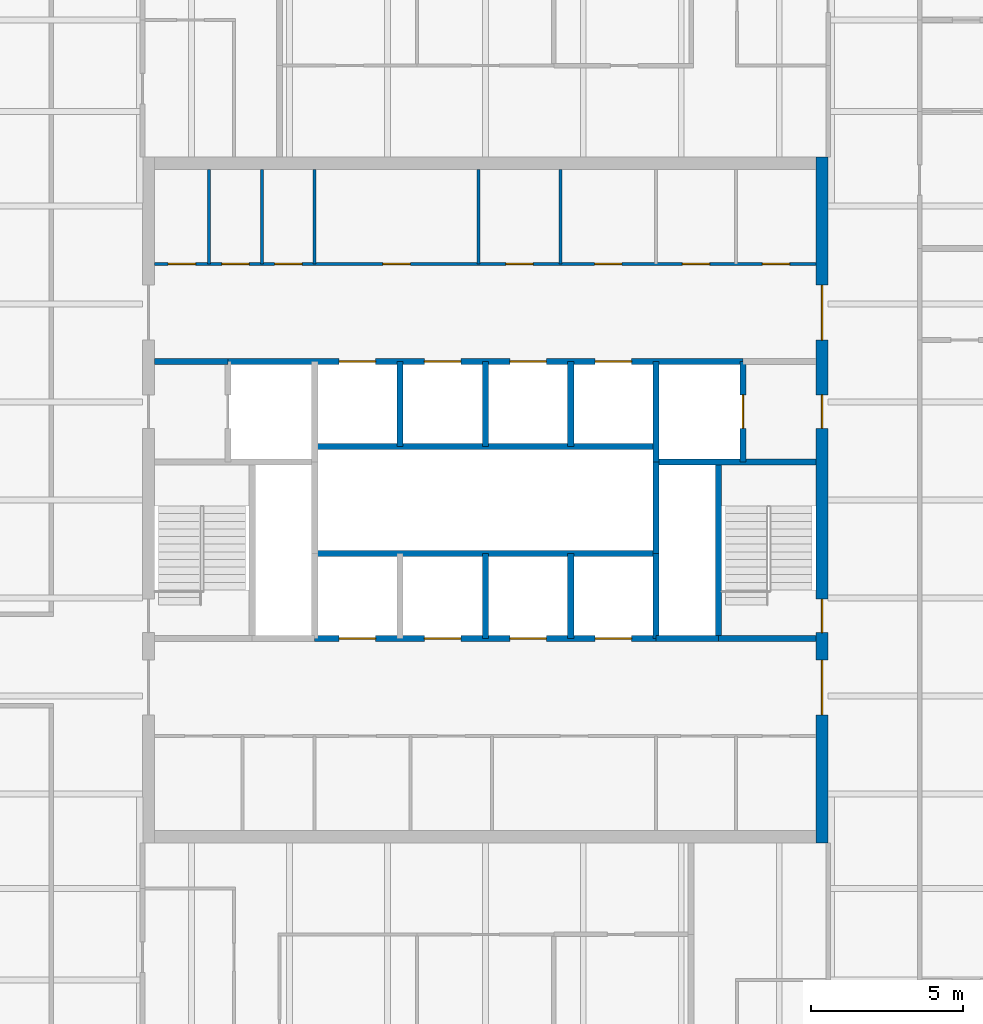
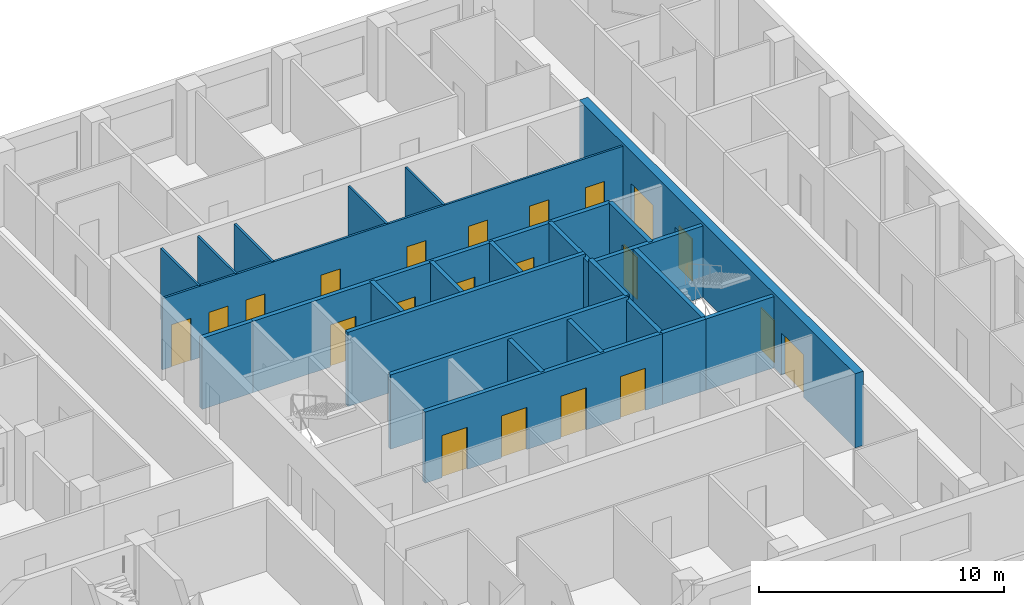
# One storey, part 6 of 10: 25 walls, 21 doors, 21 openings.
"""IFC4 building model written with IfcOpenShell, lengths in metres."""

from ifc_helpers import new_model, si_unit, direction, frame, frame_2d, origin, place, context, subcontext, project, spatial, rectangle, extrude, material, layer, layer_set, type_object, element, fill, save


model = new_model("IFC4")

# Units and contexts
model_context = context("Model", 3, precision=1e-05, world=origin(), true_north=direction((0.0, 1.0)))
body_context = subcontext(model_context, "Body", "Model", "MODEL_VIEW")
ifc_project = project(units=[si_unit("LENGTHUNIT", "METRE"), si_unit("AREAUNIT", "SQUARE_METRE"), si_unit("VOLUMEUNIT", "CUBIC_METRE"), si_unit("PLANEANGLEUNIT", "RADIAN"), si_unit("MASSUNIT", "GRAM", prefix="KILO")], contexts=[model_context])

# Site, building, storey
site_placement = place(None, origin())
site = spatial("IfcSite", under=ifc_project, at=site_placement, CompositionType="ELEMENT")
building_placement = place(site_placement, origin())
building = spatial("IfcBuilding", under=site, at=building_placement, Name="Quoin Convention Tower", CompositionType="ELEMENT")
storey_placement = place(building_placement, frame((0.0, 0.0, 184.699951171875)))
storey = spatial("IfcBuildingStorey", under=building, at=storey_placement, Name="L48", CompositionType="ELEMENT", Elevation=184.699951171875)

# Wall, openings, doors
ifc_material_1 = material(Name="Plasterboard")
ifc_layer_1 = layer(ifc_material_1, 0.012451171875, Name="Finish")
ifc_material_2 = material(Name="Steel stud framing", Category="steel")
ifc_layer_2 = layer(ifc_material_2, 0.074951171875, Name="Structure")
ifc_layer_3 = layer(ifc_material_1, 0.012451171875, Name="Finish")
ifc_layer_set_1 = layer_set([ifc_layer_1, ifc_layer_2, ifc_layer_3], Name="Steel stud framing")
wall_type_1 = type_object("IfcWallType", Name="Core partition wall", PredefinedType="PARTITIONING", material=ifc_layer_set_1)
wall_1_placement = place(storey_placement, frame((45.39990234375, 68.5, 0.0), z_axis=(0.0, 0.0, 1.0), x_axis=(1.0, 0.0, 0.0)))
wall_1 = element("IfcWall", 1, at=wall_1_placement, inside=storey, type_object=wall_type_1, Name="cr-C1-L48-h19000_400", PredefinedType="PARTITIONING", context=body_context, shape_type="SweptSolid", body=[
    extrude(rectangle(XDim=21.7001953125, YDim=0.10009765625, at=frame_2d((10.85009765625, 0.0))), origin(), (0.0, 0.0, 1.0), 3.550048828125),
])
opening_1_placement = place(wall_1_placement, frame((19.9375, 0.0, 0.0)))
opening_1 = element("IfcOpeningElement", 2, at=opening_1_placement, cuts=wall_1, Name="Opening DCV4-14", PredefinedType="OPENING", context=body_context, shape_type="SweptSolid", body=[
    extrude(rectangle(XDim=0.89990234375, YDim=2.10009765625, at=frame_2d((0.449951171875, 1.050048828125))), frame((0.0, 0.06005859375, 0.0), z_axis=(0.0, -1.0, 0.0), x_axis=(1.0, 0.0, 0.0)), (0.0, 0.0, 1.0), 0.1201171875),
])
opening_2_placement = place(wall_1_placement, frame((17.3125, 0.0, 0.0)))
opening_2 = element("IfcOpeningElement", 3, at=opening_2_placement, cuts=wall_1, Name="Opening DCV4-13", PredefinedType="OPENING", context=body_context, shape_type="SweptSolid", body=[
    extrude(rectangle(XDim=0.89990234375, YDim=2.10009765625, at=frame_2d((0.449951171875, 1.050048828125))), frame((0.0, 0.06005859375, 0.0), z_axis=(0.0, -1.0, 0.0), x_axis=(1.0, 0.0, 0.0)), (0.0, 0.0, 1.0), 0.1201171875),
])
opening_3_placement = place(wall_1_placement, frame((0.4423828125, 0.0, 0.0)))
opening_3 = element("IfcOpeningElement", 4, at=opening_3_placement, cuts=wall_1, Name="Opening DCV4-05", PredefinedType="OPENING", context=body_context, shape_type="SweptSolid", body=[
    extrude(rectangle(XDim=0.89990234375, YDim=2.10009765625, at=frame_2d((0.449951171875, 1.050048828125))), frame((0.0, 0.06005859375, 0.0), z_axis=(0.0, -1.0, 0.0), x_axis=(1.0, 0.0, 0.0)), (0.0, 0.0, 1.0), 0.1201171875),
])
opening_4_placement = place(wall_1_placement, frame((2.201416015625, 0.0, 0.0)))
opening_4 = element("IfcOpeningElement", 5, at=opening_4_placement, cuts=wall_1, Name="Opening DCV4-06", PredefinedType="OPENING", context=body_context, shape_type="SweptSolid", body=[
    extrude(rectangle(XDim=0.89990234375, YDim=2.10009765625, at=frame_2d((0.449951171875, 1.050048828125))), frame((0.0, 0.06005859375, 0.0), z_axis=(0.0, -1.0, 0.0), x_axis=(1.0, 0.0, 0.0)), (0.0, 0.0, 1.0), 0.1201171875),
])
opening_5_placement = place(wall_1_placement, frame((3.93359375, 0.0, 0.0)))
opening_5 = element("IfcOpeningElement", 6, at=opening_5_placement, cuts=wall_1, Name="Opening DCV4-07", PredefinedType="OPENING", context=body_context, shape_type="SweptSolid", body=[
    extrude(rectangle(XDim=0.89990234375, YDim=2.10009765625, at=frame_2d((0.449951171875, 1.050048828125))), frame((0.0, 0.06005859375, 0.0), z_axis=(0.0, -1.0, 0.0), x_axis=(1.0, 0.0, 0.0)), (0.0, 0.0, 1.0), 0.1201171875),
])
opening_6_placement = place(wall_1_placement, frame((14.431884765625, 0.0, 0.0)))
opening_6 = element("IfcOpeningElement", 7, at=opening_6_placement, cuts=wall_1, Name="Opening DCV4-12", PredefinedType="OPENING", context=body_context, shape_type="SweptSolid", body=[
    extrude(rectangle(XDim=0.89990234375, YDim=2.10009765625, at=frame_2d((0.449951171875, 1.050048828125))), frame((0.0, 0.06005859375, 0.0), z_axis=(0.0, -1.0, 0.0), x_axis=(1.0, 0.0, 0.0)), (0.0, 0.0, 1.0), 0.1201171875),
])
opening_7_placement = place(wall_1_placement, frame((11.52001953125, 0.0, 0.0)))
opening_7 = element("IfcOpeningElement", 8, at=opening_7_placement, cuts=wall_1, Name="Opening DCV4-10", PredefinedType="OPENING", context=body_context, shape_type="SweptSolid", body=[
    extrude(rectangle(XDim=0.89990234375, YDim=2.10009765625, at=frame_2d((0.449951171875, 1.050048828125))), frame((0.0, 0.06005859375, 0.0), z_axis=(0.0, -1.0, 0.0), x_axis=(1.0, 0.0, 0.0)), (0.0, 0.0, 1.0), 0.1201171875),
])
opening_8_placement = place(wall_1_placement, frame((7.488037109375, 0.0, 0.0)))
opening_8 = element("IfcOpeningElement", 9, at=opening_8_placement, cuts=wall_1, Name="Opening DCV4-09", PredefinedType="OPENING", context=body_context, shape_type="SweptSolid", body=[
    extrude(rectangle(XDim=0.89990234375, YDim=2.10009765625, at=frame_2d((0.449951171875, 1.050048828125))), frame((0.0, 0.06005859375, 0.0), z_axis=(0.0, -1.0, 0.0), x_axis=(1.0, 0.0, 0.0)), (0.0, 0.0, 1.0), 0.1201171875),
])
ifc_material_3 = material(Name="Steel door leaf", Category="steel")
door_type_1 = type_object("IfcDoorType", Name="Core room door 900 x 2100", OperationType="SINGLE_SWING_LEFT", PredefinedType="DOOR", material=ifc_material_3)
door_1_placement = place(opening_1_placement, origin())
door_1 = element("IfcDoor", 10, at=door_1_placement, inside=storey, type_object=door_type_1, Name="cd-C1-L48-CNE0-lobB-CD4807", OperationType="SINGLE_SWING_RIGHT", OverallHeight=2.10009765625, OverallWidth=0.89990234375, PredefinedType="DOOR", context=body_context, shape_type="SweptSolid", body=[
    extrude(rectangle(XDim=0.89990234375, YDim=2.10009765625, at=frame_2d((0.449951171875, 1.050048828125))), frame((0.0, 0.02490234375, 0.0), z_axis=(0.0, -1.0, 0.0), x_axis=(1.0, 0.0, 0.0)), (0.0, 0.0, 1.0), 0.050048828125),
])
fill(opening_1, door_1)
door_2_placement = place(opening_2_placement, origin())
door_2 = element("IfcDoor", 11, at=door_2_placement, inside=storey, type_object=door_type_1, Name="cd-C1-L48-CNE1-lobB-CD4808", OperationType="SINGLE_SWING_RIGHT", OverallHeight=2.10009765625, OverallWidth=0.89990234375, PredefinedType="DOOR", context=body_context, shape_type="SweptSolid", body=[
    extrude(rectangle(XDim=0.89990234375, YDim=2.10009765625, at=frame_2d((0.449951171875, 1.050048828125))), frame((0.0, 0.02490234375, 0.0), z_axis=(0.0, -1.0, 0.0), x_axis=(1.0, 0.0, 0.0)), (0.0, 0.0, 1.0), 0.050048828125),
])
fill(opening_2, door_2)
door_3_placement = place(opening_3_placement, origin())
door_3 = element("IfcDoor", 12, at=door_3_placement, inside=storey, type_object=door_type_1, Name="cd-C1-L48-CNW0-lobB-CD4809", OperationType="SINGLE_SWING_RIGHT", OverallHeight=2.10009765625, OverallWidth=0.89990234375, PredefinedType="DOOR", context=body_context, shape_type="SweptSolid", body=[
    extrude(rectangle(XDim=0.89990234375, YDim=2.10009765625, at=frame_2d((0.449951171875, 1.050048828125))), frame((0.0, 0.02490234375, 0.0), z_axis=(0.0, -1.0, 0.0), x_axis=(1.0, 0.0, 0.0)), (0.0, 0.0, 1.0), 0.050048828125),
])
fill(opening_3, door_3)
door_4_placement = place(opening_4_placement, origin())
door_4 = element("IfcDoor", 13, at=door_4_placement, inside=storey, type_object=door_type_1, Name="cd-C1-L48-CNW1-lobB-CD4810", OperationType="SINGLE_SWING_RIGHT", OverallHeight=2.10009765625, OverallWidth=0.89990234375, PredefinedType="DOOR", context=body_context, shape_type="SweptSolid", body=[
    extrude(rectangle(XDim=0.89990234375, YDim=2.10009765625, at=frame_2d((0.449951171875, 1.050048828125))), frame((0.0, 0.02490234375, 0.0), z_axis=(0.0, -1.0, 0.0), x_axis=(1.0, 0.0, 0.0)), (0.0, 0.0, 1.0), 0.050048828125),
])
fill(opening_4, door_4)
door_5_placement = place(opening_5_placement, origin())
door_5 = element("IfcDoor", 14, at=door_5_placement, inside=storey, type_object=door_type_1, Name="cd-C1-L48-CNW2-lobB-CD4811", OperationType="SINGLE_SWING_RIGHT", OverallHeight=2.10009765625, OverallWidth=0.89990234375, PredefinedType="DOOR", context=body_context, shape_type="SweptSolid", body=[
    extrude(rectangle(XDim=0.89990234375, YDim=2.10009765625, at=frame_2d((0.449951171875, 1.050048828125))), frame((0.0, 0.02490234375, 0.0), z_axis=(0.0, -1.0, 0.0), x_axis=(1.0, 0.0, 0.0)), (0.0, 0.0, 1.0), 0.050048828125),
])
fill(opening_5, door_5)
door_6_placement = place(opening_6_placement, origin())
door_6 = element("IfcDoor", 15, at=door_6_placement, inside=storey, type_object=door_type_1, Name="cd-C1-L48-F40-lobB-CD4819", OperationType="SINGLE_SWING_RIGHT", OverallHeight=2.10009765625, OverallWidth=0.89990234375, PredefinedType="DOOR", context=body_context, shape_type="SweptSolid", body=[
    extrude(rectangle(XDim=0.89990234375, YDim=2.10009765625, at=frame_2d((0.449951171875, 1.050048828125))), frame((0.0, 0.02490234375, 0.0), z_axis=(0.0, -1.0, 0.0), x_axis=(1.0, 0.0, 0.0)), (0.0, 0.0, 1.0), 0.050048828125),
])
fill(opening_6, door_6)
door_7_placement = place(opening_7_placement, origin())
door_7 = element("IfcDoor", 16, at=door_7_placement, inside=storey, type_object=door_type_1, Name="cd-C1-L48-F41-lobB-CD4820", OperationType="SINGLE_SWING_RIGHT", OverallHeight=2.10009765625, OverallWidth=0.89990234375, PredefinedType="DOOR", context=body_context, shape_type="SweptSolid", body=[
    extrude(rectangle(XDim=0.89990234375, YDim=2.10009765625, at=frame_2d((0.449951171875, 1.050048828125))), frame((0.0, 0.02490234375, 0.0), z_axis=(0.0, -1.0, 0.0), x_axis=(1.0, 0.0, 0.0)), (0.0, 0.0, 1.0), 0.050048828125),
])
fill(opening_7, door_7)
door_8_placement = place(opening_8_placement, origin())
door_8 = element("IfcDoor", 17, at=door_8_placement, inside=storey, type_object=door_type_1, Name="cd-C1-L48-F42-lobB-CD4821", OperationType="SINGLE_SWING_RIGHT", OverallHeight=2.10009765625, OverallWidth=0.89990234375, PredefinedType="DOOR", context=body_context, shape_type="SweptSolid", body=[
    extrude(rectangle(XDim=0.89990234375, YDim=2.10009765625, at=frame_2d((0.449951171875, 1.050048828125))), frame((0.0, 0.02490234375, 0.0), z_axis=(0.0, -1.0, 0.0), x_axis=(1.0, 0.0, 0.0)), (0.0, 0.0, 1.0), 0.050048828125),
])
fill(opening_8, door_8)

# Walls
for number, where, z_axis, x_axis, name in (
    (18, (47.18505859375, 68.5, 0.0), (0.0, 0.0, 1.0), (0.0, 1.0, 0.0), "cr-C1-L48-v2185_19000"),
    (19, (48.91748046875, 68.5, 0.0), (0.0, 0.0, 1.0), (0.0, 1.0, 0.0), "cr-C1-L48-v3918_19000"),
    (20, (50.64990234375, 68.5, 0.0), (0.0, 0.0, 1.0), (0.0, 1.0, 0.0), "cr-C1-L48-v5650_19000"),
    (21, (56.02587890625, 68.5, 0.0), (0.0, 0.0, 1.0), (0.0, 1.0, 0.0), "cr-C1-L48-v11026_19000"),
    (22, (58.714111328125, 68.5, 0.0), (0.0, 0.0, 1.0), (0.0, 1.0, 0.0), "cr-C1-L48-v13714_19000"),
):
    element("IfcWall", number, at=place(storey_placement, frame(where, z_axis=z_axis, x_axis=x_axis)), inside=storey, type_object=wall_type_1, Name=name, PredefinedType="PARTITIONING", context=body_context, shape_type="SweptSolid", body=[
        extrude(rectangle(XDim=3.10009765625, YDim=0.10009765625, at=frame_2d((1.550048828125, 0.0))), origin(), (0.0, 0.0, 1.0), 3.550048828125),
    ])
ifc_material_4 = material(Name="Concrete C50", Category="concrete")
ifc_layer_4 = layer(ifc_material_4, 0.199951171875)
ifc_layer_set_2 = layer_set([ifc_layer_4], Name="Concrete C50")
wall_type_2 = type_object("IfcWallType", Name="Core shaft wall", PredefinedType="SOLIDWALL", material=ifc_layer_set_2)
wall_2_placement = place(storey_placement, frame((61.85009765625, 56.199951171875, 0.0), z_axis=(0.0, 0.0, 1.0), x_axis=(1.0, 0.0, 0.0)))
element("IfcWall", 23, at=wall_2_placement, inside=storey, type_object=wall_type_2, Name="cr-C1-L48-h6700_16850", PredefinedType="SOLIDWALL", context=body_context, shape_type="SweptSolid", body=[
    extrude(rectangle(XDim=2.0498046875, YDim=0.199951171875, at=frame_2d((1.02490234375, 0.0))), origin(), (0.0, 0.0, 1.0), 3.550048828125),
])

# Wall, openings, doors
wall_3_placement = place(storey_placement, frame((50.64990234375, 56.199951171875, 0.0), z_axis=(0.0, 0.0, 1.0), x_axis=(1.0, 0.0, 0.0)))
wall_3 = element("IfcWall", 24, at=wall_3_placement, inside=storey, type_object=wall_type_2, Name="cr-C1-L48-h6700_5650", PredefinedType="SOLIDWALL", context=body_context, shape_type="SweptSolid", body=[
    extrude(rectangle(XDim=11.2001953125, YDim=0.199951171875, at=frame_2d((5.60009765625, 0.0))), origin(), (0.0, 0.0, 1.0), 3.550048828125),
])
opening_9_placement = place(wall_3_placement, frame((0.800048828125, 0.0, 0.0)))
opening_9 = element("IfcOpeningElement", 25, at=opening_9_placement, cuts=wall_3, Name="Opening LDH1", PredefinedType="OPENING", context=body_context, shape_type="SweptSolid", body=[
    extrude(rectangle(XDim=1.199951171875, YDim=2.10009765625, at=frame_2d((0.60009765625, 1.050048828125))), frame((0.0, 0.10986328125, 0.0), z_axis=(0.0, -1.0, 0.0), x_axis=(1.0, 0.0, 0.0)), (0.0, 0.0, 1.0), 0.219970703125),
])
opening_10_placement = place(wall_3_placement, frame((3.60009765625, 0.0, 0.0)))
opening_10 = element("IfcOpeningElement", 26, at=opening_10_placement, cuts=wall_3, Name="Opening LDH2", PredefinedType="OPENING", context=body_context, shape_type="SweptSolid", body=[
    extrude(rectangle(XDim=1.199951171875, YDim=2.10009765625, at=frame_2d((0.60009765625, 1.050048828125))), frame((0.0, 0.10986328125, 0.0), z_axis=(0.0, -1.0, 0.0), x_axis=(1.0, 0.0, 0.0)), (0.0, 0.0, 1.0), 0.219970703125),
])
opening_11_placement = place(wall_3_placement, frame((6.39990234375, 0.0, 0.0)))
opening_11 = element("IfcOpeningElement", 27, at=opening_11_placement, cuts=wall_3, Name="Opening LDH3", PredefinedType="OPENING", context=body_context, shape_type="SweptSolid", body=[
    extrude(rectangle(XDim=1.199951171875, YDim=2.10009765625, at=frame_2d((0.60009765625, 1.050048828125))), frame((0.0, 0.10986328125, 0.0), z_axis=(0.0, -1.0, 0.0), x_axis=(1.0, 0.0, 0.0)), (0.0, 0.0, 1.0), 0.219970703125),
])
opening_12_placement = place(wall_3_placement, frame((9.199951171875, 0.0, 0.0)))
opening_12 = element("IfcOpeningElement", 28, at=opening_12_placement, cuts=wall_3, Name="Opening LDH4", PredefinedType="OPENING", context=body_context, shape_type="SweptSolid", body=[
    extrude(rectangle(XDim=1.199951171875, YDim=2.10009765625, at=frame_2d((0.60009765625, 1.050048828125))), frame((0.0, 0.10986328125, 0.0), z_axis=(0.0, -1.0, 0.0), x_axis=(1.0, 0.0, 0.0)), (0.0, 0.0, 1.0), 0.219970703125),
])
door_type_2 = type_object("IfcDoorType", Name="Lift landing door 1200 x 2100", OperationType="DOUBLE_DOOR_SLIDING", PredefinedType="DOOR", material=ifc_material_3)
door_9_placement = place(opening_9_placement, origin())
door_9 = element("IfcDoor", 29, at=door_9_placement, inside=storey, type_object=door_type_2, Name="cd-C1-L48-R20-lobA-LDH1", OperationType="DOUBLE_DOOR_SLIDING", OverallHeight=2.10009765625, OverallWidth=1.199951171875, PredefinedType="DOOR", context=body_context, shape_type="SweptSolid", body=[
    extrude(rectangle(XDim=1.199951171875, YDim=2.10009765625, at=frame_2d((0.60009765625, 1.050048828125))), frame((0.0, 0.02490234375, 0.0), z_axis=(0.0, -1.0, 0.0), x_axis=(1.0, 0.0, 0.0)), (0.0, 0.0, 1.0), 0.050048828125),
])
fill(opening_9, door_9)
door_10_placement = place(opening_10_placement, origin())
door_10 = element("IfcDoor", 30, at=door_10_placement, inside=storey, type_object=door_type_2, Name="cd-C1-L48-R21-lobA-LDH2", OperationType="DOUBLE_DOOR_SLIDING", OverallHeight=2.10009765625, OverallWidth=1.199951171875, PredefinedType="DOOR", context=body_context, shape_type="SweptSolid", body=[
    extrude(rectangle(XDim=1.199951171875, YDim=2.10009765625, at=frame_2d((0.60009765625, 1.050048828125))), frame((0.0, 0.02490234375, 0.0), z_axis=(0.0, -1.0, 0.0), x_axis=(1.0, 0.0, 0.0)), (0.0, 0.0, 1.0), 0.050048828125),
])
fill(opening_10, door_10)
door_11_placement = place(opening_11_placement, origin())
door_11 = element("IfcDoor", 31, at=door_11_placement, inside=storey, type_object=door_type_2, Name="cd-C1-L48-R22-lobA-LDH3", OperationType="DOUBLE_DOOR_SLIDING", OverallHeight=2.10009765625, OverallWidth=1.199951171875, PredefinedType="DOOR", context=body_context, shape_type="SweptSolid", body=[
    extrude(rectangle(XDim=1.199951171875, YDim=2.10009765625, at=frame_2d((0.60009765625, 1.050048828125))), frame((0.0, 0.02490234375, 0.0), z_axis=(0.0, -1.0, 0.0), x_axis=(1.0, 0.0, 0.0)), (0.0, 0.0, 1.0), 0.050048828125),
])
fill(opening_11, door_11)
door_12_placement = place(opening_12_placement, origin())
door_12 = element("IfcDoor", 32, at=door_12_placement, inside=storey, type_object=door_type_2, Name="cd-C1-L48-R23-lobA-LDH4", OperationType="DOUBLE_DOOR_SLIDING", OverallHeight=2.10009765625, OverallWidth=1.199951171875, PredefinedType="DOOR", context=body_context, shape_type="SweptSolid", body=[
    extrude(rectangle(XDim=1.199951171875, YDim=2.10009765625, at=frame_2d((0.60009765625, 1.050048828125))), frame((0.0, 0.02490234375, 0.0), z_axis=(0.0, -1.0, 0.0), x_axis=(1.0, 0.0, 0.0)), (0.0, 0.0, 1.0), 0.050048828125),
])
fill(opening_12, door_12)

# Walls
wall_4_placement = place(storey_placement, frame((63.89990234375, 56.199951171875, 0.0), z_axis=(0.0, 0.0, 1.0), x_axis=(1.0, 0.0, 0.0)))
element("IfcWall", 33, at=wall_4_placement, inside=storey, type_object=wall_type_2, Name="cr-C1-L48-h6700_18900", PredefinedType="SOLIDWALL", context=body_context, shape_type="SweptSolid", body=[
    extrude(rectangle(XDim=3.2001953125, YDim=0.199951171875, at=frame_2d((1.60009765625, 0.0))), origin(), (0.0, 0.0, 1.0), 3.550048828125),
])
wall_5_placement = place(storey_placement, frame((61.85009765625, 62.0, 0.0), z_axis=(0.0, 0.0, 1.0), x_axis=(1.0, 0.0, 0.0)))
element("IfcWall", 34, at=wall_5_placement, inside=storey, type_object=wall_type_2, Name="cr-C1-L48-h12500_16850", PredefinedType="SOLIDWALL", context=body_context, shape_type="SweptSolid", body=[
    extrude(rectangle(XDim=5.25, YDim=0.199951171875, at=frame_2d((2.625, 0.0))), origin(), (0.0, 0.0, 1.0), 3.550048828125),
])
wall_6_placement = place(storey_placement, frame((45.39990234375, 65.300048828125, 0.0), z_axis=(0.0, 0.0, 1.0), x_axis=(1.0, 0.0, 0.0)))
element("IfcWall", 35, at=wall_6_placement, inside=storey, type_object=wall_type_2, Name="cr-C1-L48-h15800_400", PredefinedType="SOLIDWALL", context=body_context, shape_type="SweptSolid", body=[
    extrude(rectangle(XDim=2.400146484375, YDim=0.199951171875, at=frame_2d((1.2001953125, 0.0))), origin(), (0.0, 0.0, 1.0), 3.550048828125),
])

# Wall, openings, doors
wall_7_placement = place(storey_placement, frame((47.800048828125, 65.300048828125, 0.0), z_axis=(0.0, 0.0, 1.0), x_axis=(1.0, 0.0, 0.0)))
wall_7 = element("IfcWall", 36, at=wall_7_placement, inside=storey, type_object=wall_type_2, Name="cr-C1-L48-h15800_2800", PredefinedType="SOLIDWALL", context=body_context, shape_type="SweptSolid", body=[
    extrude(rectangle(XDim=16.89990234375, YDim=0.199951171875, at=frame_2d((8.449951171875, 0.0))), origin(), (0.0, 0.0, 1.0), 3.550048828125),
])
opening_13_placement = place(wall_7_placement, frame((3.64990234375, 0.0, 0.0)))
opening_13 = element("IfcOpeningElement", 37, at=opening_13_placement, cuts=wall_7, Name="Opening LDH5", PredefinedType="OPENING", context=body_context, shape_type="SweptSolid", body=[
    extrude(rectangle(XDim=1.199951171875, YDim=2.10009765625, at=frame_2d((0.60009765625, 1.050048828125))), frame((0.0, 0.10986328125, 0.0), z_axis=(0.0, -1.0, 0.0), x_axis=(1.0, 0.0, 0.0)), (0.0, 0.0, 1.0), 0.219970703125),
])
opening_14_placement = place(wall_7_placement, frame((6.449951171875, 0.0, 0.0)))
opening_14 = element("IfcOpeningElement", 38, at=opening_14_placement, cuts=wall_7, Name="Opening LDH6", PredefinedType="OPENING", context=body_context, shape_type="SweptSolid", body=[
    extrude(rectangle(XDim=1.199951171875, YDim=2.10009765625, at=frame_2d((0.60009765625, 1.050048828125))), frame((0.0, 0.10986328125, 0.0), z_axis=(0.0, -1.0, 0.0), x_axis=(1.0, 0.0, 0.0)), (0.0, 0.0, 1.0), 0.219970703125),
])
opening_15_placement = place(wall_7_placement, frame((9.25, 0.0, 0.0)))
opening_15 = element("IfcOpeningElement", 39, at=opening_15_placement, cuts=wall_7, Name="Opening LDH7", PredefinedType="OPENING", context=body_context, shape_type="SweptSolid", body=[
    extrude(rectangle(XDim=1.199951171875, YDim=2.10009765625, at=frame_2d((0.60009765625, 1.050048828125))), frame((0.0, 0.10986328125, 0.0), z_axis=(0.0, -1.0, 0.0), x_axis=(1.0, 0.0, 0.0)), (0.0, 0.0, 1.0), 0.219970703125),
])
opening_16_placement = place(wall_7_placement, frame((12.050048828125, 0.0, 0.0)))
opening_16 = element("IfcOpeningElement", 40, at=opening_16_placement, cuts=wall_7, Name="Opening LDH8", PredefinedType="OPENING", context=body_context, shape_type="SweptSolid", body=[
    extrude(rectangle(XDim=1.199951171875, YDim=2.10009765625, at=frame_2d((0.60009765625, 1.050048828125))), frame((0.0, 0.10986328125, 0.0), z_axis=(0.0, -1.0, 0.0), x_axis=(1.0, 0.0, 0.0)), (0.0, 0.0, 1.0), 0.219970703125),
])
door_13_placement = place(opening_13_placement, origin())
door_13 = element("IfcDoor", 41, at=door_13_placement, inside=storey, type_object=door_type_2, Name="cd-C1-L48-R30-lobB-LDH5", OperationType="DOUBLE_DOOR_SLIDING", OverallHeight=2.10009765625, OverallWidth=1.199951171875, PredefinedType="DOOR", context=body_context, shape_type="SweptSolid", body=[
    extrude(rectangle(XDim=1.199951171875, YDim=2.10009765625, at=frame_2d((0.60009765625, 1.050048828125))), frame((0.0, 0.02490234375, 0.0), z_axis=(0.0, -1.0, 0.0), x_axis=(1.0, 0.0, 0.0)), (0.0, 0.0, 1.0), 0.050048828125),
])
fill(opening_13, door_13)
door_14_placement = place(opening_14_placement, origin())
door_14 = element("IfcDoor", 42, at=door_14_placement, inside=storey, type_object=door_type_2, Name="cd-C1-L48-R31-lobB-LDH6", OperationType="DOUBLE_DOOR_SLIDING", OverallHeight=2.10009765625, OverallWidth=1.199951171875, PredefinedType="DOOR", context=body_context, shape_type="SweptSolid", body=[
    extrude(rectangle(XDim=1.199951171875, YDim=2.10009765625, at=frame_2d((0.60009765625, 1.050048828125))), frame((0.0, 0.02490234375, 0.0), z_axis=(0.0, -1.0, 0.0), x_axis=(1.0, 0.0, 0.0)), (0.0, 0.0, 1.0), 0.050048828125),
])
fill(opening_14, door_14)
door_15_placement = place(opening_15_placement, origin())
door_15 = element("IfcDoor", 43, at=door_15_placement, inside=storey, type_object=door_type_2, Name="cd-C1-L48-R32-lobB-LDH7", OperationType="DOUBLE_DOOR_SLIDING", OverallHeight=2.10009765625, OverallWidth=1.199951171875, PredefinedType="DOOR", context=body_context, shape_type="SweptSolid", body=[
    extrude(rectangle(XDim=1.199951171875, YDim=2.10009765625, at=frame_2d((0.60009765625, 1.050048828125))), frame((0.0, 0.02490234375, 0.0), z_axis=(0.0, -1.0, 0.0), x_axis=(1.0, 0.0, 0.0)), (0.0, 0.0, 1.0), 0.050048828125),
])
fill(opening_15, door_15)
door_16_placement = place(opening_16_placement, origin())
door_16 = element("IfcDoor", 44, at=door_16_placement, inside=storey, type_object=door_type_2, Name="cd-C1-L48-R33-lobB-LDH8", OperationType="DOUBLE_DOOR_SLIDING", OverallHeight=2.10009765625, OverallWidth=1.199951171875, PredefinedType="DOOR", context=body_context, shape_type="SweptSolid", body=[
    extrude(rectangle(XDim=1.199951171875, YDim=2.10009765625, at=frame_2d((0.60009765625, 1.050048828125))), frame((0.0, 0.02490234375, 0.0), z_axis=(0.0, -1.0, 0.0), x_axis=(1.0, 0.0, 0.0)), (0.0, 0.0, 1.0), 0.050048828125),
])
fill(opening_16, door_16)

# Walls
for number, where, z_axis, x_axis, name in (
    (45, (53.449951171875, 62.5, 0.0), (0.0, 0.0, 1.0), (0.0, 1.0, 0.0), "cr-C1-L48-v8450_13000"),
    (46, (56.25, 56.199951171875, 0.0), (0.0, 0.0, 1.0), (0.0, 1.0, 0.0), "cr-C1-L48-v11250_6700"),
    (47, (56.25, 62.5, 0.0), (0.0, 0.0, 1.0), (0.0, 1.0, 0.0), "cr-C1-L48-v11250_13000"),
    (48, (59.050048828125, 56.199951171875, 0.0), (0.0, 0.0, 1.0), (0.0, 1.0, 0.0), "cr-C1-L48-v14050_6700"),
    (49, (59.050048828125, 62.5, 0.0), (0.0, 0.0, 1.0), (0.0, 1.0, 0.0), "cr-C1-L48-v14050_13000"),
    (50, (61.85009765625, 56.199951171875, 0.0), (0.0, 0.0, 1.0), (0.0, 1.0, 0.0), "cr-C1-L48-v16850_6700"),
):
    element("IfcWall", number, at=place(storey_placement, frame(where, z_axis=z_axis, x_axis=x_axis)), inside=storey, type_object=wall_type_2, Name=name, PredefinedType="SOLIDWALL", context=body_context, shape_type="SweptSolid", body=[
        extrude(rectangle(XDim=2.800048828125, YDim=0.199951171875, at=frame_2d((1.39990234375, 0.0))), origin(), (0.0, 0.0, 1.0), 3.550048828125),
    ])
wall_8_placement = place(storey_placement, frame((61.85009765625, 62.0, 0.0), z_axis=(0.0, 0.0, 1.0), x_axis=(0.0, 1.0, 0.0)))
element("IfcWall", 51, at=wall_8_placement, inside=storey, type_object=wall_type_2, Name="cr-C1-L48-v16850_12500", PredefinedType="SOLIDWALL", context=body_context, shape_type="SweptSolid", body=[
    extrude(rectangle(XDim=3.300048828125, YDim=0.199951171875, at=frame_2d((1.64990234375, 0.0))), origin(), (0.0, 0.0, 1.0), 3.550048828125),
])
wall_9_placement = place(storey_placement, frame((63.89990234375, 56.199951171875, 0.0), z_axis=(0.0, 0.0, 1.0), x_axis=(0.0, 1.0, 0.0)))
element("IfcWall", 52, at=wall_9_placement, inside=storey, type_object=wall_type_2, Name="cr-C1-L48-v18900_6700", PredefinedType="SOLIDWALL", context=body_context, shape_type="SweptSolid", body=[
    extrude(rectangle(XDim=5.800048828125, YDim=0.199951171875, at=frame_2d((2.89990234375, 0.0))), origin(), (0.0, 0.0, 1.0), 3.550048828125),
])

# Wall, opening, door
wall_10_placement = place(storey_placement, frame((64.699951171875, 62.0, 0.0), z_axis=(0.0, 0.0, 1.0), x_axis=(0.0, 1.0, 0.0)))
wall_10 = element("IfcWall", 53, at=wall_10_placement, inside=storey, type_object=wall_type_2, Name="cr-C1-L48-v19700_12500", PredefinedType="SOLIDWALL", context=body_context, shape_type="SweptSolid", body=[
    extrude(rectangle(XDim=3.300048828125, YDim=0.199951171875, at=frame_2d((1.64990234375, 0.0))), origin(), (0.0, 0.0, 1.0), 3.550048828125),
])
opening_17_placement = place(wall_10_placement, frame((1.10009765625, 0.0, 0.0)))
opening_17 = element("IfcOpeningElement", 54, at=opening_17_placement, cuts=wall_10, Name="Opening LDFL2", PredefinedType="OPENING", context=body_context, shape_type="SweptSolid", body=[
    extrude(rectangle(XDim=1.10009765625, YDim=2.10009765625, at=frame_2d((0.550048828125, 1.050048828125))), frame((0.0, 0.10986328125, 0.0), z_axis=(0.0, -1.0, 0.0), x_axis=(1.0, 0.0, 0.0)), (0.0, 0.0, 1.0), 0.219970703125),
])
door_type_3 = type_object("IfcDoorType", Name="Lift landing door 1100 x 2100", OperationType="DOUBLE_DOOR_SLIDING", PredefinedType="DOOR", material=ifc_material_3)
door_17_placement = place(opening_17_placement, origin())
door_17 = element("IfcDoor", 55, at=door_17_placement, inside=storey, type_object=door_type_3, Name="cd-C1-L48-FLE-FFE-LDFL2", OperationType="DOUBLE_DOOR_SLIDING", OverallHeight=2.10009765625, OverallWidth=1.10009765625, PredefinedType="DOOR", context=body_context, shape_type="SweptSolid", body=[
    extrude(rectangle(XDim=1.10009765625, YDim=2.10009765625, at=frame_2d((0.550048828125, 1.050048828125))), frame((0.0, 0.02490234375, 0.0), z_axis=(0.0, -1.0, 0.0), x_axis=(1.0, 0.0, 0.0)), (0.0, 0.0, 1.0), 0.050048828125),
])
fill(opening_17, door_17)

# Walls
ifc_layer_5 = layer(ifc_material_4, 0.199951171875)
ifc_layer_set_3 = layer_set([ifc_layer_5], Name="Concrete C50")
wall_type_3 = type_object("IfcWallType", Name="Core shaft wall to the floor level over", PredefinedType="SOLIDWALL", material=ifc_layer_set_3)
for number, where, z_axis, x_axis, name in (
    (56, (50.64990234375, 59.0, 0.0), (0.0, 0.0, 1.0), (1.0, 0.0, 0.0), "cr-C1-L48-h9500_5650"),
    (57, (50.64990234375, 62.5, 0.0), (0.0, 0.0, 1.0), (1.0, 0.0, 0.0), "cr-C1-L48-h13000_5650"),
):
    element("IfcWall", number, at=place(storey_placement, frame(where, z_axis=z_axis, x_axis=x_axis)), inside=storey, type_object=wall_type_3, Name=name, PredefinedType="SOLIDWALL", context=body_context, shape_type="SweptSolid", body=[
        extrude(rectangle(XDim=11.2001953125, YDim=0.199951171875, at=frame_2d((5.60009765625, 0.0))), origin(), (0.0, 0.0, 1.0), 3.699951171875),
    ])
wall_11_placement = place(storey_placement, frame((61.85009765625, 59.0, 0.0), z_axis=(0.0, 0.0, 1.0), x_axis=(0.0, 1.0, 0.0)))
element("IfcWall", 58, at=wall_11_placement, inside=storey, type_object=wall_type_3, Name="cr-C1-L48-v16850_9500", PredefinedType="SOLIDWALL", context=body_context, shape_type="SweptSolid", body=[
    extrude(rectangle(XDim=3.0, YDim=0.199951171875, at=frame_2d((1.5, 0.0))), origin(), (0.0, 0.0, 1.0), 3.699951171875),
])

# Wall, openings, doors
ifc_layer_6 = layer(ifc_material_4, 0.39990234375)
ifc_layer_set_4 = layer_set([ifc_layer_6], Name="Concrete C50")
wall_type_4 = type_object("IfcWallType", Name="RC CORE WALL 400 C50", PredefinedType="SHEAR", material=ifc_layer_set_4)
wall_12_placement = place(storey_placement, frame((67.300048828125, 49.5, 0.0), z_axis=(0.0, 0.0, 1.0), x_axis=(0.0, 1.0, 0.0)))
wall_12 = element("IfcWall", 59, at=wall_12_placement, inside=storey, type_object=wall_type_4, Name="cwl-C1-L48-E", PredefinedType="SHEAR", context=body_context, shape_type="SweptSolid", body=[
    extrude(rectangle(XDim=22.5, YDim=0.39990234375, at=frame_2d((11.25, 0.0))), origin(), (0.0, 0.0, 1.0), 3.699951171875),
])
opening_18_placement = place(wall_12_placement, frame((4.199951171875, 0.0, 0.0)))
opening_18 = element("IfcOpeningElement", 60, at=opening_18_placement, cuts=wall_12, Name="Opening DCV4-39", PredefinedType="OPENING", context=body_context, shape_type="SweptSolid", body=[
    extrude(rectangle(XDim=1.800048828125, YDim=2.10009765625, at=frame_2d((0.89990234375, 1.050048828125))), frame((0.0, 0.2099609375, 0.0), z_axis=(0.0, -1.0, 0.0), x_axis=(1.0, 0.0, 0.0)), (0.0, 0.0, 1.0), 0.419921875),
])
opening_19_placement = place(wall_12_placement, frame((6.89990234375, 0.0, 0.0)))
opening_19 = element("IfcOpeningElement", 61, at=opening_19_placement, cuts=wall_12, Name="Opening SD2", PredefinedType="OPENING", context=body_context, shape_type="SweptSolid", body=[
    extrude(rectangle(XDim=1.10009765625, YDim=2.10009765625, at=frame_2d((0.550048828125, 1.050048828125))), frame((0.0, 0.2099609375, 0.0), z_axis=(0.0, -1.0, 0.0), x_axis=(1.0, 0.0, 0.0)), (0.0, 0.0, 1.0), 0.419921875),
])
opening_20_placement = place(wall_12_placement, frame((13.60009765625, 0.0, 0.0)))
opening_20 = element("IfcOpeningElement", 62, at=opening_20_placement, cuts=wall_12, Name="Opening DCV4-38", PredefinedType="OPENING", context=body_context, shape_type="SweptSolid", body=[
    extrude(rectangle(XDim=1.10009765625, YDim=2.10009765625, at=frame_2d((0.550048828125, 1.050048828125))), frame((0.0, 0.2099609375, 0.0), z_axis=(0.0, -1.0, 0.0), x_axis=(1.0, 0.0, 0.0)), (0.0, 0.0, 1.0), 0.419921875),
])
opening_21_placement = place(wall_12_placement, frame((16.5, 0.0, 0.0)))
opening_21 = element("IfcOpeningElement", 63, at=opening_21_placement, cuts=wall_12, Name="Opening DCV4-39", PredefinedType="OPENING", context=body_context, shape_type="SweptSolid", body=[
    extrude(rectangle(XDim=1.800048828125, YDim=2.10009765625, at=frame_2d((0.89990234375, 1.050048828125))), frame((0.0, 0.2099609375, 0.0), z_axis=(0.0, -1.0, 0.0), x_axis=(1.0, 0.0, 0.0)), (0.0, 0.0, 1.0), 0.419921875),
])
door_type_4 = type_object("IfcDoorType", Name="Fire-fighting lobby door 1100 x 2100", OperationType="SINGLE_SWING_LEFT", PredefinedType="DOOR", material=ifc_material_3)
door_18_placement = place(opening_20_placement, origin())
door_18 = element("IfcDoor", 64, at=door_18_placement, inside=storey, type_object=door_type_4, Name="cd-C1-L48-FFE-E", OperationType="SINGLE_SWING_RIGHT", OverallHeight=2.10009765625, OverallWidth=1.10009765625, PredefinedType="DOOR", context=body_context, shape_type="SweptSolid", body=[
    extrude(rectangle(XDim=1.10009765625, YDim=2.10009765625, at=frame_2d((0.550048828125, 1.050048828125))), frame((0.0, 0.02490234375, 0.0), z_axis=(0.0, -1.0, 0.0), x_axis=(1.0, 0.0, 0.0)), (0.0, 0.0, 1.0), 0.050048828125),
])
fill(opening_20, door_18)
door_type_5 = type_object("IfcDoorType", Name="Lift lobby door 1800 x 2100", OperationType="SINGLE_SWING_LEFT", PredefinedType="DOOR", material=ifc_material_3)
door_19_placement = place(opening_18_placement, origin())
door_19 = element("IfcDoor", 65, at=door_19_placement, inside=storey, type_object=door_type_5, Name="cd-C1-L48-lobA-E", OperationType="SINGLE_SWING_RIGHT", OverallHeight=2.10009765625, OverallWidth=1.800048828125, PredefinedType="DOOR", context=body_context, shape_type="SweptSolid", body=[
    extrude(rectangle(XDim=1.800048828125, YDim=2.10009765625, at=frame_2d((0.89990234375, 1.050048828125))), frame((0.0, 0.02490234375, 0.0), z_axis=(0.0, -1.0, 0.0), x_axis=(1.0, 0.0, 0.0)), (0.0, 0.0, 1.0), 0.050048828125),
])
fill(opening_18, door_19)
door_20_placement = place(opening_21_placement, origin())
door_20 = element("IfcDoor", 66, at=door_20_placement, inside=storey, type_object=door_type_5, Name="cd-C1-L48-lobB-E", OperationType="SINGLE_SWING_RIGHT", OverallHeight=2.10009765625, OverallWidth=1.800048828125, PredefinedType="DOOR", context=body_context, shape_type="SweptSolid", body=[
    extrude(rectangle(XDim=1.800048828125, YDim=2.10009765625, at=frame_2d((0.89990234375, 1.050048828125))), frame((0.0, 0.02490234375, 0.0), z_axis=(0.0, -1.0, 0.0), x_axis=(1.0, 0.0, 0.0)), (0.0, 0.0, 1.0), 0.050048828125),
])
fill(opening_21, door_20)
door_type_6 = type_object("IfcDoorType", Name="Stair door 1100 x 2100", OperationType="SINGLE_SWING_RIGHT", PredefinedType="DOOR", material=ifc_material_3)
door_21_placement = place(opening_19_placement, origin())
door_21 = element("IfcDoor", 67, at=door_21_placement, inside=storey, type_object=door_type_6, Name="cd-C1-L48-STE-E", OperationType="SINGLE_SWING_LEFT", OverallHeight=2.10009765625, OverallWidth=1.10009765625, PredefinedType="DOOR", context=body_context, shape_type="SweptSolid", body=[
    extrude(rectangle(XDim=1.10009765625, YDim=2.10009765625, at=frame_2d((0.550048828125, 1.050048828125))), frame((0.0, 0.02490234375, 0.0), z_axis=(0.0, -1.0, 0.0), x_axis=(1.0, 0.0, 0.0)), (0.0, 0.0, 1.0), 0.050048828125),
])
fill(opening_19, door_21)

save(model, "model.ifc")
